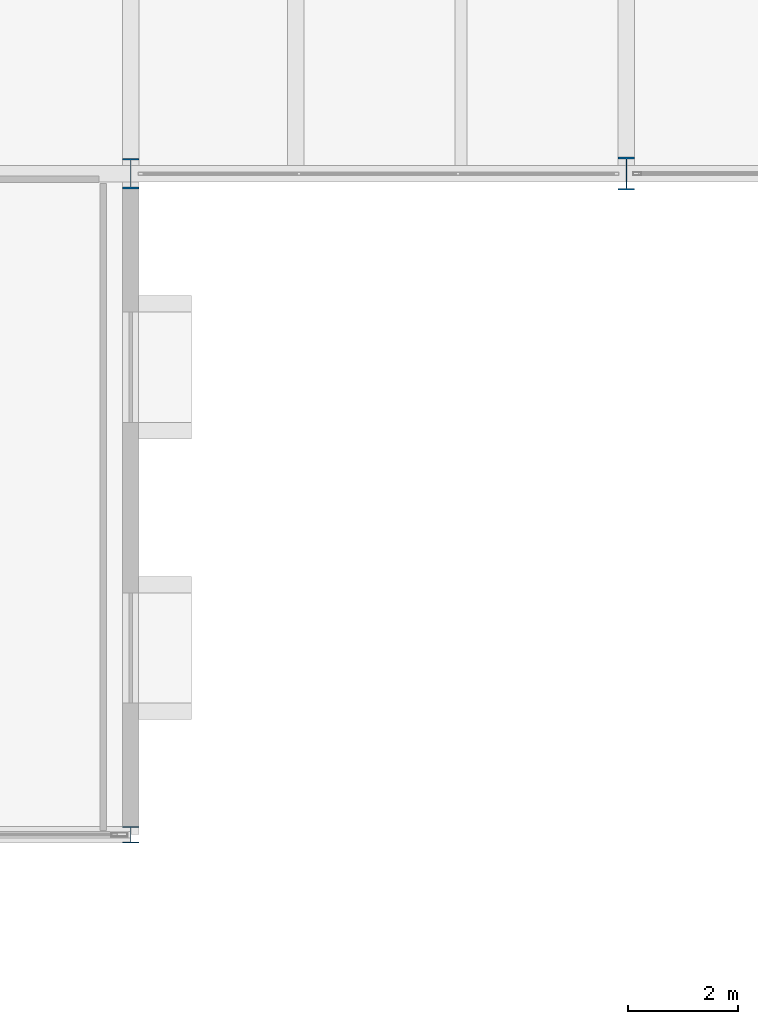
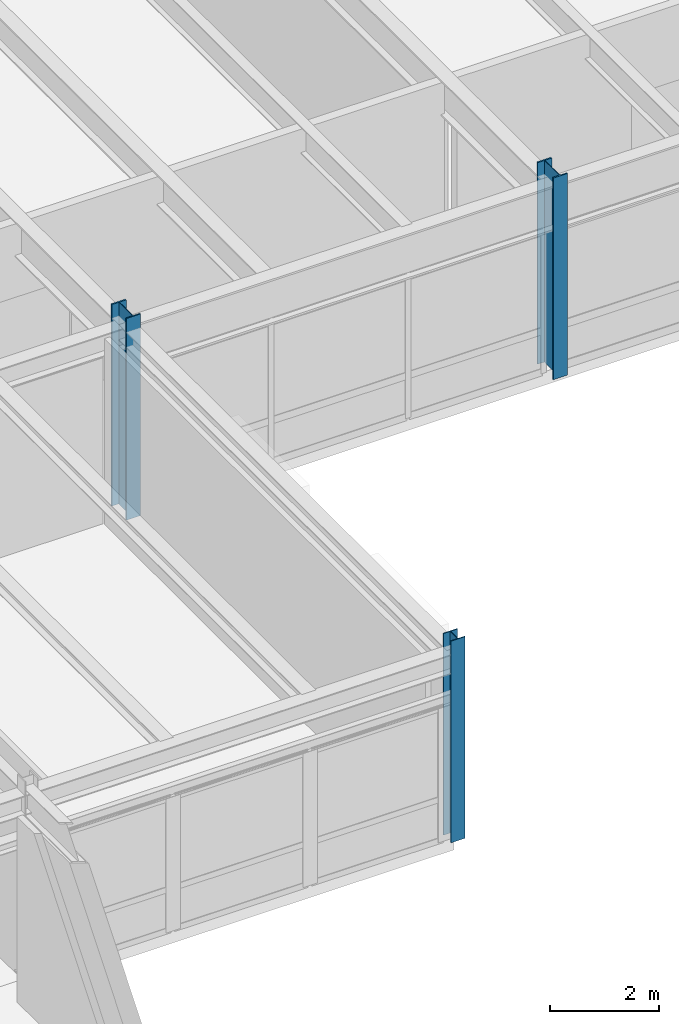
# One storey, part 13 of 115: 3 columns.
"""IFC4 building model written with IfcOpenShell, lengths in metres."""

from ifc_helpers import new_model, si_unit, direction, frame, origin, origin_2d, place, context, subcontext, project, spatial, i_section, extrude, material, material_profile, profile_set, type_object, element, save


model = new_model("IFC4")

# Units and contexts
model_context = context("Model", 3, precision=1e-05, world=origin(), true_north=direction((0.0, 1.0)))
body_context = subcontext(model_context, "Body", "Model", "MODEL_VIEW")
ifc_project = project(units=[si_unit("LENGTHUNIT", "METRE"), si_unit("AREAUNIT", "SQUARE_METRE"), si_unit("VOLUMEUNIT", "CUBIC_METRE"), si_unit("PLANEANGLEUNIT", "RADIAN"), si_unit("MASSUNIT", "GRAM", prefix="KILO")], contexts=[model_context])

# Site, building, storey
site_placement = place(None, origin())
site = spatial("IfcSite", under=ifc_project, at=site_placement, CompositionType="ELEMENT")
building_placement = place(site_placement, origin())
building = spatial("IfcBuilding", under=site, at=building_placement, Name="Montelvaro Courts of Justice", CompositionType="ELEMENT")
storey_placement = place(building_placement, frame((0.0, 0.0, 9.89990234375)))
storey = spatial("IfcBuildingStorey", under=building, at=storey_placement, Name="L02", CompositionType="ELEMENT", Elevation=9.89990234375)

# Columns
ifc_material = material(Name="Steel S355", Category="steel")
ifc_material_profile_1 = material_profile(ifc_material, i_section(OverallWidth=0.300048828125, OverallDepth=0.300048828125, WebThickness=0.010986328125, FlangeThickness=0.01904296875, at=origin_2d()), Name="HEB 300")
ifc_profile_set_1 = profile_set([ifc_material_profile_1], Name="Steel S355")
column_type_1 = type_object("IfcColumnType", Name="Col_HEB300", PredefinedType="COLUMN", material=ifc_profile_set_1)
column_1_placement = place(storey_placement, frame((135.0, 66.0, 0.0), z_axis=(0.0, 0.0, 1.0), x_axis=(1.0, 0.0, 0.0)))
element("IfcColumn", 1, at=column_1_placement, inside=storey, type_object=column_type_1, Name="Column C-03 L02 16/F", PredefinedType="COLUMN", context=body_context, shape_type="SweptSolid", body=[
    extrude(i_section(OverallWidth=0.300048828125, OverallDepth=0.300048828125, WebThickness=0.010986328125, FlangeThickness=0.01904296875, at=origin_2d()), origin(), (0.0, 0.0, 1.0), 4.5),
])
ifc_material_profile_2 = material_profile(ifc_material, i_section(OverallWidth=0.300048828125, OverallDepth=0.550048828125, WebThickness=0.014892578125, FlangeThickness=0.029052734375, at=origin_2d()), Name="HEB 550")
ifc_profile_set_2 = profile_set([ifc_material_profile_2], Name="Steel S355")
column_type_2 = type_object("IfcColumnType", Name="Col_HEB550", PredefinedType="COLUMN", material=ifc_profile_set_2)
column_2_placement = place(storey_placement, frame((135.0, 78.0, 0.0), z_axis=(0.0, 0.0, 1.0), x_axis=(1.0, 0.0, 0.0)))
element("IfcColumn", 2, at=column_2_placement, inside=storey, type_object=column_type_2, Name="Column C-10 L02 16/G", PredefinedType="COLUMN", context=body_context, shape_type="SweptSolid", body=[
    extrude(i_section(OverallWidth=0.300048828125, OverallDepth=0.550048828125, WebThickness=0.014892578125, FlangeThickness=0.029052734375, at=origin_2d()), origin(), (0.0, 0.0, 1.0), 4.5),
])
ifc_material_profile_3 = material_profile(ifc_material, i_section(OverallWidth=0.300048828125, OverallDepth=0.60009765625, WebThickness=0.015380859375, FlangeThickness=0.030029296875, at=origin_2d()), Name="HEB 600")
ifc_profile_set_3 = profile_set([ifc_material_profile_3], Name="Steel S355")
column_type_3 = type_object("IfcColumnType", Name="Col_HEB600", PredefinedType="COLUMN", material=ifc_profile_set_3)
column_3_placement = place(storey_placement, frame((144.0, 78.0, 0.0), z_axis=(0.0, 0.0, 1.0), x_axis=(1.0, 0.0, 0.0)))
element("IfcColumn", 3, at=column_3_placement, inside=storey, type_object=column_type_3, Name="Column C-11 L02 17/G", PredefinedType="COLUMN", context=body_context, shape_type="SweptSolid", body=[
    extrude(i_section(OverallWidth=0.300048828125, OverallDepth=0.60009765625, WebThickness=0.015380859375, FlangeThickness=0.030029296875, at=origin_2d()), origin(), (0.0, 0.0, 1.0), 4.5),
])

save(model, "model.ifc")
